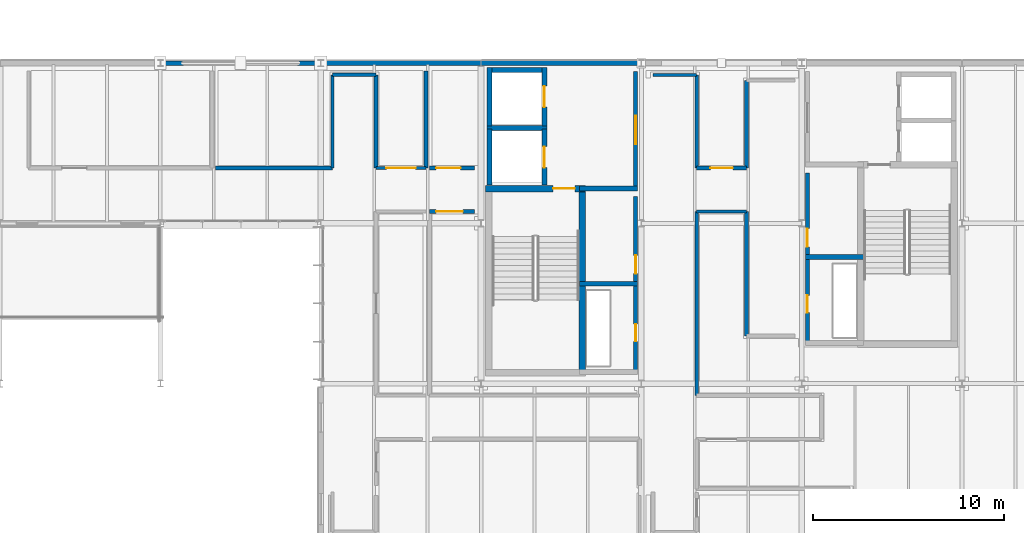
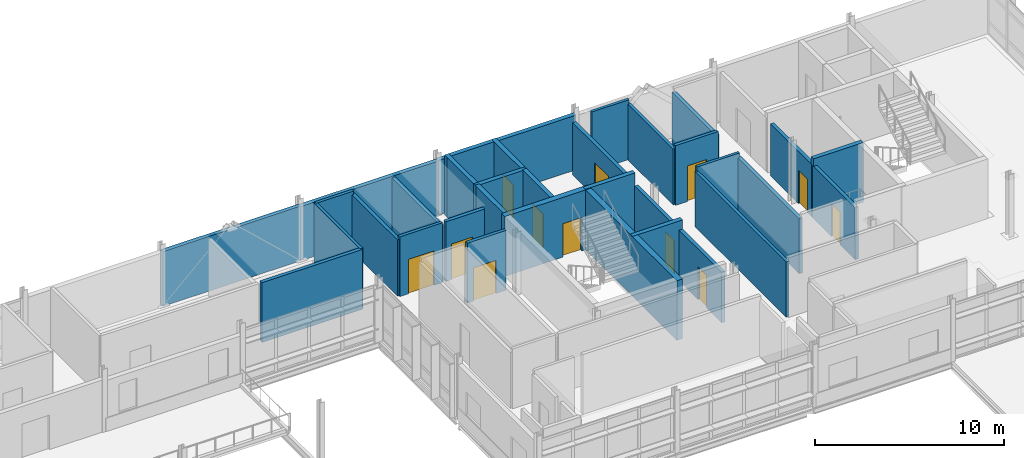
# One storey, part 49 of 57: 34 walls, 12 doors, 12 openings.
"""IFC4 building model written with IfcOpenShell, lengths in metres."""

from ifc_helpers import new_model, si_unit, direction, frame, frame_2d, origin, place, context, subcontext, project, spatial, rectangle, extrude, material, layer, layer_set, type_object, element, fill, save


model = new_model("IFC4")

# Units and contexts
model_context = context("Model", 3, precision=1e-05, world=origin(), true_north=direction((0.0, 1.0)))
body_context = subcontext(model_context, "Body", "Model", "MODEL_VIEW")
ifc_project = project(units=[si_unit("LENGTHUNIT", "METRE"), si_unit("AREAUNIT", "SQUARE_METRE"), si_unit("VOLUMEUNIT", "CUBIC_METRE"), si_unit("PLANEANGLEUNIT", "RADIAN"), si_unit("MASSUNIT", "GRAM", prefix="KILO")], contexts=[model_context])

# Site, building, storey
site_placement = place(None, origin())
site = spatial("IfcSite", under=ifc_project, at=site_placement, CompositionType="ELEMENT")
building_placement = place(site_placement, origin())
building = spatial("IfcBuilding", under=site, at=building_placement, Name="Mersafa Astral City Hall", CompositionType="ELEMENT")
storey_placement = place(building_placement, frame((0.0, 0.0, 26.10009765625)))
storey = spatial("IfcBuildingStorey", under=building, at=storey_placement, Name="L06", CompositionType="ELEMENT", Elevation=26.10009765625)

# Walls
ifc_material_1 = material(Name="Precast concrete C40/50 insulated terracotta spandrel", Category="masonry")
ifc_layer_1 = layer(ifc_material_1, 0.235107421875, Name="Precast concrete C40/50 insulated terracotta spandrel")
ifc_layer_set_1 = layer_set([ifc_layer_1], Name="Precast concrete C40/50 insulated terracotta spandrel — ENV-WAL-EXT-235")
wall_type_1 = type_object("IfcWallType", Name="ENV-WAL-EXT-235", PredefinedType="STANDARD", material=ifc_layer_set_1)
wall_1_placement = place(storey_placement, frame((142.7919921875, 126.0, 0.0), z_axis=(0.0, 0.0, 1.0), x_axis=(-1.0, 0.0, 0.0)))
element("IfcWall", 1, at=wall_1_placement, inside=storey, type_object=wall_type_1, Name="L06 Limestone-clad exterior wall 371", PredefinedType="STANDARD", context=body_context, shape_type="SweptSolid", body=[
    extrude(rectangle(XDim=8.384033203125, YDim=0.235107421875, at=frame_2d((4.19189453125, 0.0))), origin(), (0.0, 0.0, 1.0), 3.52685546875),
])
ifc_layer_2 = layer(ifc_material_1, 0.25, Name="Precast concrete C40/50 insulated terracotta spandrel")
ifc_layer_set_2 = layer_set([ifc_layer_2], Name="Precast concrete C40/50 insulated terracotta spandrel — ENV-WAL-EXT-250")
wall_type_2 = type_object("IfcWallType", Name="ENV-WAL-EXT-250", PredefinedType="STANDARD", material=ifc_layer_set_2)
wall_2_placement = place(storey_placement, frame((151.19189453125, 126.0, 0.0), z_axis=(0.0, 0.0, 1.0), x_axis=(-1.0, 0.0, 0.0)))
element("IfcWall", 2, at=wall_2_placement, inside=storey, type_object=wall_type_2, Name="L06 Limestone-clad exterior wall 370", PredefinedType="STANDARD", context=body_context, shape_type="SweptSolid", body=[
    extrude(rectangle(XDim=8.3837890625, YDim=0.25, at=frame_2d((4.19189453125, 0.0))), origin(), (0.0, 0.0, 1.0), 3.496826171875),
])
ifc_material_2 = material(Name="Precast concrete C40/50 insulated limestone wall", Category="masonry")
ifc_layer_3 = layer(ifc_material_2, 0.264892578125, Name="Precast concrete C40/50 insulated limestone wall")
ifc_layer_set_3 = layer_set([ifc_layer_3], Name="Precast concrete C40/50 insulated limestone wall — ENV-WAL-EXT-265")
wall_type_3 = type_object("IfcWallType", Name="ENV-WAL-EXT-265", PredefinedType="STANDARD", material=ifc_layer_set_3)
wall_3_placement = place(storey_placement, frame((159.592041015625, 126.0, 0.0), z_axis=(0.0, 0.0, 1.0), x_axis=(-1.0, 0.0, 0.0)))
element("IfcWall", 3, at=wall_3_placement, inside=storey, type_object=wall_type_3, Name="L06 Limestone-clad exterior wall 369", PredefinedType="STANDARD", context=body_context, shape_type="SweptSolid", body=[
    extrude(rectangle(XDim=8.384033203125, YDim=0.264892578125, at=frame_2d((4.19189453125, 0.0))), origin(), (0.0, 0.0, 1.0), 3.52685546875),
])
ifc_material_3 = material(Name="Concrete C40/50", Category="concrete")
ifc_layer_4 = layer(ifc_material_3, 0.260009765625, Name="Concrete C40/50")
ifc_layer_set_4 = layer_set([ifc_layer_4], Name="Concrete C40/50 — INT-WAL-CORE-260")
wall_type_4 = type_object("IfcWallType", Name="INT-WAL-CORE-260", PredefinedType="SHEAR", material=ifc_layer_set_4)
wall_4_placement = place(storey_placement, frame((151.514892578125, 122.5849609375, 0.0), z_axis=(0.0, 0.0, 1.0), x_axis=(1.0, 0.0, 0.0)))
element("IfcWall", 4, at=wall_4_placement, inside=storey, type_object=wall_type_4, Name="L06 Lift LF1 north shaft wall", PredefinedType="SHEAR", context=body_context, shape_type="SweptSolid", body=[
    extrude(rectangle(XDim=3.130126953125, YDim=0.260009765625, at=frame_2d((1.56494140625, 0.0))), origin(), (0.0, 0.0, 1.0), 3.849853515625),
])
wall_5_placement = place(storey_placement, frame((151.64501953125, 119.596923828125, 0.0), z_axis=(0.0, 0.0, 1.0), x_axis=(0.0, 1.0, 0.0)))
element("IfcWall", 5, at=wall_5_placement, inside=storey, type_object=wall_type_4, Name="L06 Lift LF1 back shaft wall", PredefinedType="SHEAR", context=body_context, shape_type="SweptSolid", body=[
    extrude(rectangle(XDim=2.947998046875, YDim=0.260009765625, at=frame_2d((1.47412109375, 0.0))), origin(), (0.0, 0.0, 1.0), 3.849853515625),
])

# Wall, opening, door
wall_6_placement = place(storey_placement, frame((154.514892578125, 119.596923828125, 0.0), z_axis=(0.0, 0.0, 1.0), x_axis=(0.0, 1.0, 0.0)))
wall_6 = element("IfcWall", 6, at=wall_6_placement, inside=storey, type_object=wall_type_4, Name="L06 Lift LF1 front shaft wall", PredefinedType="SHEAR", context=body_context, shape_type="SweptSolid", body=[
    extrude(rectangle(XDim=2.947998046875, YDim=0.260009765625, at=frame_2d((1.47412109375, 0.0))), origin(), (0.0, 0.0, 1.0), 3.849853515625),
])
opening_1_placement = place(wall_6_placement, frame((0.924072265625, 0.0, 0.0)))
opening_1 = element("IfcOpeningElement", 7, at=opening_1_placement, cuts=wall_6, Name="Opening LD-1", PredefinedType="OPENING", context=body_context, shape_type="SweptSolid", body=[
    extrude(rectangle(XDim=1.10009765625, YDim=2.14990234375, at=frame_2d((0.550048828125, 1.074951171875))), frame((0.0, 0.139892578125, 0.0), z_axis=(0.0, -1.0, 0.0), x_axis=(1.0, 0.0, 0.0)), (0.0, 0.0, 1.0), 0.280029296875),
])
ifc_material_4 = material(Name="Stainless steel sliding lift landing door", Category="steel")
door_type_1 = type_object("IfcDoorType", Name="INT-DR-LIFT-LD1", OperationType="NOTDEFINED", PredefinedType="DOOR", material=ifc_material_4)
door_1_placement = place(opening_1_placement, origin())
door_1 = element("IfcDoor", 8, at=door_1_placement, inside=storey, type_object=door_type_1, Name="Elevator LF1 Sliding Landing Door L06", OperationType="DOUBLE_DOOR_SLIDING", OverallHeight=2.14990234375, OverallWidth=1.10009765625, PredefinedType="DOOR", context=body_context, shape_type="SweptSolid", body=[
    extrude(rectangle(XDim=1.10009765625, YDim=2.14990234375, at=frame_2d((0.550048828125, 1.074951171875))), frame((0.0, 0.02490234375, 0.0), z_axis=(0.0, -1.0, 0.0), x_axis=(1.0, 0.0, 0.0)), (0.0, 0.0, 1.0), 0.050048828125),
])
fill(opening_1, door_1)

# Walls
wall_7_placement = place(storey_placement, frame((151.514892578125, 125.635009765625, 0.0), z_axis=(0.0, 0.0, 1.0), x_axis=(1.0, 0.0, 0.0)))
element("IfcWall", 9, at=wall_7_placement, inside=storey, type_object=wall_type_4, Name="L06 Lift LF3 north shaft wall", PredefinedType="SHEAR", context=body_context, shape_type="SweptSolid", body=[
    extrude(rectangle(XDim=3.130126953125, YDim=0.260009765625, at=frame_2d((1.56494140625, 0.0))), origin(), (0.0, 0.0, 1.0), 3.849853515625),
])
wall_8_placement = place(storey_placement, frame((151.64501953125, 122.705078125, 0.0), z_axis=(0.0, 0.0, 1.0), x_axis=(0.0, 1.0, 0.0)))
element("IfcWall", 10, at=wall_8_placement, inside=storey, type_object=wall_type_4, Name="L06 Lift LF3 back shaft wall", PredefinedType="SHEAR", context=body_context, shape_type="SweptSolid", body=[
    extrude(rectangle(XDim=3.059814453125, YDim=0.260009765625, at=frame_2d((1.52978515625, 0.0))), origin(), (0.0, 0.0, 1.0), 3.849853515625),
])

# Wall, opening, door
wall_9_placement = place(storey_placement, frame((154.514892578125, 122.705078125, 0.0), z_axis=(0.0, 0.0, 1.0), x_axis=(0.0, 1.0, 0.0)))
wall_9 = element("IfcWall", 11, at=wall_9_placement, inside=storey, type_object=wall_type_4, Name="L06 Lift LF3 front shaft wall", PredefinedType="SHEAR", context=body_context, shape_type="SweptSolid", body=[
    extrude(rectangle(XDim=3.059814453125, YDim=0.260009765625, at=frame_2d((1.52978515625, 0.0))), origin(), (0.0, 0.0, 1.0), 3.849853515625),
])
opening_2_placement = place(wall_9_placement, frame((0.97998046875, 0.0, 0.0)))
opening_2 = element("IfcOpeningElement", 12, at=opening_2_placement, cuts=wall_9, Name="Opening LD-1", PredefinedType="OPENING", context=body_context, shape_type="SweptSolid", body=[
    extrude(rectangle(XDim=1.10009765625, YDim=2.14990234375, at=frame_2d((0.550048828125, 1.074951171875))), frame((0.0, 0.139892578125, 0.0), z_axis=(0.0, -1.0, 0.0), x_axis=(1.0, 0.0, 0.0)), (0.0, 0.0, 1.0), 0.280029296875),
])
door_2_placement = place(opening_2_placement, origin())
door_2 = element("IfcDoor", 13, at=door_2_placement, inside=storey, type_object=door_type_1, Name="Elevator LF3 Sliding Landing Door L06", OperationType="DOUBLE_DOOR_SLIDING", OverallHeight=2.14990234375, OverallWidth=1.10009765625, PredefinedType="DOOR", context=body_context, shape_type="SweptSolid", body=[
    extrude(rectangle(XDim=1.10009765625, YDim=2.14990234375, at=frame_2d((0.550048828125, 1.074951171875))), frame((0.0, 0.02490234375, 0.0), z_axis=(0.0, -1.0, 0.0), x_axis=(1.0, 0.0, 0.0)), (0.0, 0.0, 1.0), 0.050048828125),
])
fill(opening_2, door_2)

# Walls
for number, where, z_axis, x_axis, name in (
    (14, (156.364990234375, 114.43505859375, 0.0), (0.0, 0.0, 1.0), (1.0, 0.0, 0.0), "L06 Core K1 riser-restroom divider wall"),
    (15, (156.364990234375, 119.43505859375, 0.0), (0.0, 0.0, 1.0), (1.0, 0.0, 0.0), "L06 Core K1 restroom-lobby divider wall"),
):
    element("IfcWall", number, at=place(storey_placement, frame(where, z_axis=z_axis, x_axis=x_axis)), inside=storey, type_object=wall_type_4, Name=name, PredefinedType="SHEAR", context=body_context, shape_type="SweptSolid", body=[
        extrude(rectangle(XDim=3.034912109375, YDim=0.260009765625, at=frame_2d((1.517578125, 0.0))), origin(), (0.0, 0.0, 1.0), 3.849853515625),
    ])
wall_10_placement = place(storey_placement, frame((168.199951171875, 115.8349609375, 0.0), z_axis=(0.0, 0.0, 1.0), x_axis=(1.0, 0.0, 0.0)))
element("IfcWall", 16, at=wall_10_placement, inside=storey, type_object=wall_type_4, Name="L06 Core K2 riser-restroom divider wall", PredefinedType="SHEAR", context=body_context, shape_type="SweptSolid", body=[
    extrude(rectangle(XDim=3.03515625, YDim=0.260009765625, at=frame_2d((1.517578125, 0.0))), origin(), (0.0, 0.0, 1.0), 3.849853515625),
])
ifc_layer_5 = layer(ifc_material_3, 0.340087890625, Name="Concrete C40/50")
ifc_layer_set_5 = layer_set([ifc_layer_5], Name="Concrete C40/50 — INT-WAL-CORE-340")
wall_type_5 = type_object("IfcWallType", Name="INT-WAL-CORE-340", PredefinedType="SHEAR", material=ifc_layer_set_5)
wall_11_placement = place(storey_placement, frame((156.514892578125, 109.60498046875, 0.0), z_axis=(0.0, 0.0, 1.0), x_axis=(0.0, 1.0, 0.0)))
element("IfcWall", 17, at=wall_11_placement, inside=storey, type_object=wall_type_5, Name="L06 Core K1 stair east shear wall", PredefinedType="SHEAR", context=body_context, shape_type="SweptSolid", body=[
    extrude(rectangle(XDim=9.989990234375, YDim=0.340087890625, at=frame_2d((4.9951171875, 0.0))), origin(), (0.0, 0.0, 1.0), 3.849853515625),
])

# Wall, opening, door
wall_12_placement = place(storey_placement, frame((151.43505859375, 119.425048828125, 0.0), z_axis=(0.0, 0.0, 1.0), x_axis=(1.0, 0.0, 0.0)))
wall_12 = element("IfcWall", 18, at=wall_12_placement, inside=storey, type_object=wall_type_5, Name="L06 Core K1 stair-lobby fire wall", PredefinedType="SHEAR", context=body_context, shape_type="SweptSolid", body=[
    extrude(rectangle(XDim=5.25, YDim=0.340087890625, at=frame_2d((2.625, 0.0))), origin(), (0.0, 0.0, 1.0), 3.849853515625),
])
opening_3_placement = place(wall_12_placement, frame((3.534912109375, 0.0, 0.0)))
opening_3 = element("IfcOpeningElement", 19, at=opening_3_placement, cuts=wall_12, Name="Opening CD-1", PredefinedType="OPENING", context=body_context, shape_type="SweptSolid", body=[
    extrude(rectangle(XDim=1.14990234375, YDim=2.14990234375, at=frame_2d((0.574951171875, 1.074951171875))), frame((0.0, 0.179931640625, 0.0), z_axis=(0.0, -1.0, 0.0), x_axis=(1.0, 0.0, 0.0)), (0.0, 0.0, 1.0), 0.360107421875),
])
ifc_material_5 = material(Name="Fire-rated steel stair door", Category="steel")
door_type_2 = type_object("IfcDoorType", Name="INT-DR-STAIR-FD90-1150", OperationType="NOTDEFINED", PredefinedType="DOOR", material=ifc_material_5)
door_3_placement = place(opening_3_placement, origin())
door_3 = element("IfcDoor", 20, at=door_3_placement, inside=storey, type_object=door_type_2, Name="L06 Protected Stair ST1 Door", OperationType="SINGLE_SWING_LEFT", OverallHeight=2.14990234375, OverallWidth=1.14990234375, PredefinedType="DOOR", context=body_context, shape_type="SweptSolid", body=[
    extrude(rectangle(XDim=1.14990234375, YDim=2.14990234375, at=frame_2d((0.574951171875, 1.074951171875))), frame((0.0, 0.02490234375, 0.0), z_axis=(0.0, -1.0, 0.0), x_axis=(1.0, 0.0, 0.0)), (0.0, 0.0, 1.0), 0.050048828125),
])
fill(opening_3, door_3)

# Walls
ifc_material_6 = material(Name="Fire-rated gypsum stud partition", Category="gypsum")
ifc_layer_6 = layer(ifc_material_6, 0.1650390625, Name="Fire-rated gypsum stud partition")
ifc_layer_set_6 = layer_set([ifc_layer_6], Name="Fire-rated gypsum stud partition — INT-WAL-PART-EI60-165")
wall_type_6 = type_object("IfcWallType", Name="INT-WAL-PART-EI60-165", PredefinedType="STANDARD", material=ifc_layer_set_6)
wall_13_placement = place(storey_placement, frame((162.5, 118.219970703125, -0.004150390625), z_axis=(0.0, 0.0, 1.0), x_axis=(1.0, 0.0, 0.0)))
element("IfcWall", 21, at=wall_13_placement, inside=storey, type_object=wall_type_6, Name="L06 Interior partition wall 811", PredefinedType="STANDARD", context=body_context, shape_type="SweptSolid", body=[
    extrude(rectangle(XDim=2.60009765625, YDim=0.1650390625, at=frame_2d((1.300048828125, 0.0))), origin(), (0.0, 0.0, 1.0), 3.85400390625),
])
wall_14_placement = place(storey_placement, frame((143.419921875, 125.3798828125, -0.004150390625), z_axis=(0.0, 0.0, 1.0), x_axis=(0.0, -1.0, 0.0)))
element("IfcWall", 22, at=wall_14_placement, inside=storey, type_object=wall_type_6, Name="L06 Interior partition wall 835", PredefinedType="STANDARD", context=body_context, shape_type="SweptSolid", body=[
    extrude(rectangle(XDim=4.8798828125, YDim=0.1650390625, at=frame_2d((2.43994140625, 0.0))), origin(), (0.0, 0.0, 1.0), 3.85400390625),
])
wall_15_placement = place(storey_placement, frame((162.5, 125.3798828125, -0.004150390625), z_axis=(0.0, 0.0, 1.0), x_axis=(-1.0, 0.0, 0.0)))
element("IfcWall", 23, at=wall_15_placement, inside=storey, type_object=wall_type_6, Name="L06 Interior partition wall 863", PredefinedType="STANDARD", context=body_context, shape_type="SweptSolid", body=[
    extrude(rectangle(XDim=2.280029296875, YDim=0.1650390625, at=frame_2d((1.14013671875, 0.0))), origin(), (0.0, 0.0, 1.0), 3.85400390625),
])
ifc_material_7 = material(Name="Acoustic twin-stud gypsum partition", Category="gypsum")
ifc_layer_7 = layer(ifc_material_7, 0.179931640625, Name="Acoustic twin-stud gypsum partition")
ifc_layer_set_7 = layer_set([ifc_layer_7], Name="Acoustic twin-stud gypsum partition — INT-WAL-PART-EI60-180")
wall_type_7 = type_object("IfcWallType", Name="INT-WAL-PART-EI60-180", PredefinedType="STANDARD", material=ifc_layer_set_7)
wall_16_placement = place(storey_placement, frame((162.5, 108.580078125, -0.004150390625), z_axis=(0.0, 0.0, 1.0), x_axis=(0.0, 1.0, 0.0)))
element("IfcWall", 24, at=wall_16_placement, inside=storey, type_object=wall_type_7, Name="L06 Interior partition wall 810", PredefinedType="STANDARD", context=body_context, shape_type="SweptSolid", body=[
    extrude(rectangle(XDim=9.639892578125, YDim=0.179931640625, at=frame_2d((4.81982421875, 0.0))), origin(), (0.0, 0.0, 1.0), 3.56103515625),
])
wall_17_placement = place(storey_placement, frame((145.699951171875, 125.3798828125, -0.004150390625), z_axis=(0.0, 0.0, 1.0), x_axis=(-1.0, 0.0, 0.0)))
element("IfcWall", 25, at=wall_17_placement, inside=storey, type_object=wall_type_7, Name="L06 Interior partition wall 834", PredefinedType="STANDARD", context=body_context, shape_type="SweptSolid", body=[
    extrude(rectangle(XDim=2.280029296875, YDim=0.179931640625, at=frame_2d((1.14013671875, 0.0))), origin(), (0.0, 0.0, 1.0), 3.85400390625),
])

# Wall, opening, door
wall_18_placement = place(storey_placement, frame((148.31005859375, 120.5, -0.004150390625), z_axis=(0.0, 0.0, 1.0), x_axis=(-1.0, 0.0, 0.0)))
wall_18 = element("IfcWall", 26, at=wall_18_placement, inside=storey, type_object=wall_type_7, Name="L06 Interior partition wall 838", PredefinedType="STANDARD", context=body_context, shape_type="SweptSolid", body=[
    extrude(rectangle(XDim=2.610107421875, YDim=0.179931640625, at=frame_2d((1.30517578125, 0.0))), origin(), (0.0, 0.0, 1.0), 3.85400390625),
])
opening_4_placement = place(wall_18_placement, frame((0.534912109375, 0.0, 0.0)))
opening_4 = element("IfcOpeningElement", 27, at=opening_4_placement, cuts=wall_18, Name="Opening D-26", PredefinedType="OPENING", context=body_context, shape_type="SweptSolid", body=[
    extrude(rectangle(XDim=1.5400390625, YDim=2.219970703125, at=frame_2d((0.77001953125, 1.10986328125))), frame((0.0, 0.099853515625, 0.0), z_axis=(0.0, -1.0, 0.0), x_axis=(1.0, 0.0, 0.0)), (0.0, 0.0, 1.0), 0.199951171875),
])
ifc_material_8 = material(Name="Cedar veneered acoustic fire-rated timber door", Category="wood")
door_type_3 = type_object("IfcDoorType", Name="INT-DR-RM-D-26", OperationType="NOTDEFINED", PredefinedType="DOOR", material=ifc_material_8)
door_4_placement = place(opening_4_placement, origin())
door_4 = element("IfcDoor", 28, at=door_4_placement, inside=storey, type_object=door_type_3, Name="L06 Executive Briefing Room L06-11 Entrance Door", OperationType="SINGLE_SWING_RIGHT", OverallHeight=2.219970703125, OverallWidth=1.5400390625, PredefinedType="DOOR", context=body_context, shape_type="SweptSolid", body=[
    extrude(rectangle(XDim=1.5400390625, YDim=2.219970703125, at=frame_2d((0.77001953125, 1.10986328125))), frame((0.0, 0.02490234375, 0.0), z_axis=(0.0, -1.0, 0.0), x_axis=(1.0, 0.0, 0.0)), (0.0, 0.0, 1.0), 0.050048828125),
])
fill(opening_4, door_4)

# Walls
wall_19_placement = place(storey_placement, frame((162.5, 120.5, -0.004150390625), z_axis=(0.0, 0.0, 1.0), x_axis=(0.0, 1.0, 0.0)))
element("IfcWall", 29, at=wall_19_placement, inside=storey, type_object=wall_type_7, Name="L06 Interior partition wall 862", PredefinedType="STANDARD", context=body_context, shape_type="SweptSolid", body=[
    extrude(rectangle(XDim=4.8798828125, YDim=0.179931640625, at=frame_2d((2.43994140625, 0.0))), origin(), (0.0, 0.0, 1.0), 3.591064453125),
])
ifc_layer_8 = layer(ifc_material_7, 0.195068359375, Name="Acoustic twin-stud gypsum partition")
ifc_layer_set_8 = layer_set([ifc_layer_8], Name="Acoustic twin-stud gypsum partition — INT-WAL-PART-EI60-195")
wall_type_8 = type_object("IfcWallType", Name="INT-WAL-PART-EI60-195", PredefinedType="STANDARD", material=ifc_layer_set_8)
wall_20_placement = place(storey_placement, frame((145.699951171875, 120.5, -0.004150390625), z_axis=(0.0, 0.0, 1.0), x_axis=(0.0, 1.0, 0.0)))
element("IfcWall", 30, at=wall_20_placement, inside=storey, type_object=wall_type_8, Name="L06 Interior partition wall 833", PredefinedType="STANDARD", context=body_context, shape_type="SweptSolid", body=[
    extrude(rectangle(XDim=4.8798828125, YDim=0.195068359375, at=frame_2d((2.43994140625, 0.0))), origin(), (0.0, 0.0, 1.0), 3.64111328125),
])
wall_21_placement = place(storey_placement, frame((148.31005859375, 125.580078125, -0.004150390625), z_axis=(0.0, 0.0, 1.0), x_axis=(0.0, -1.0, 0.0)))
element("IfcWall", 31, at=wall_21_placement, inside=storey, type_object=wall_type_8, Name="L06 Interior partition wall 837", PredefinedType="STANDARD", context=body_context, shape_type="SweptSolid", body=[
    extrude(rectangle(XDim=5.080078125, YDim=0.195068359375, at=frame_2d((2.5400390625, 0.0))), origin(), (0.0, 0.0, 1.0), 3.64111328125),
])

# Wall, opening, door
wall_22_placement = place(storey_placement, frame((148.489990234375, 118.219970703125, -0.004150390625), z_axis=(0.0, 0.0, 1.0), x_axis=(1.0, 0.0, 0.0)))
wall_22 = element("IfcWall", 32, at=wall_22_placement, inside=storey, type_object=wall_type_8, Name="L06 Interior partition wall 841", PredefinedType="STANDARD", context=body_context, shape_type="SweptSolid", body=[
    extrude(rectangle(XDim=2.3701171875, YDim=0.195068359375, at=frame_2d((1.18505859375, 0.0))), origin(), (0.0, 0.0, 1.0), 3.85400390625),
])
opening_5_placement = place(wall_22_placement, frame((0.360107421875, 0.0, 0.0)))
opening_5 = element("IfcOpeningElement", 33, at=opening_5_placement, cuts=wall_22, Name="Opening D-16", PredefinedType="OPENING", context=body_context, shape_type="SweptSolid", body=[
    extrude(rectangle(XDim=1.39990234375, YDim=2.139892578125, at=frame_2d((0.699951171875, 1.06982421875))), frame((0.0, 0.107421875, 0.0), z_axis=(0.0, -1.0, 0.0), x_axis=(1.0, 0.0, 0.0)), (0.0, 0.0, 1.0), 0.215087890625),
])
door_type_4 = type_object("IfcDoorType", Name="INT-DR-RM-D-16", OperationType="NOTDEFINED", PredefinedType="DOOR", material=ifc_material_8)
door_5_placement = place(opening_5_placement, origin())
door_5 = element("IfcDoor", 34, at=door_5_placement, inside=storey, type_object=door_type_4, Name="L06 Civic Diplomatic Reception Salon L06-12 Entrance Door", OperationType="SINGLE_SWING_LEFT", OverallHeight=2.139892578125, OverallWidth=1.39990234375, PredefinedType="DOOR", context=body_context, shape_type="SweptSolid", body=[
    extrude(rectangle(XDim=1.39990234375, YDim=2.139892578125, at=frame_2d((0.699951171875, 1.06982421875))), frame((0.0, 0.02490234375, 0.0), z_axis=(0.0, -1.0, 0.0), x_axis=(1.0, 0.0, 0.0)), (0.0, 0.0, 1.0), 0.050048828125),
])
fill(opening_5, door_5)

wall_23_placement = place(storey_placement, frame((165.10009765625, 120.5, -0.004150390625), z_axis=(0.0, 0.0, 1.0), x_axis=(-1.0, 0.0, 0.0)))
wall_23 = element("IfcWall", 35, at=wall_23_placement, inside=storey, type_object=wall_type_8, Name="L06 Interior partition wall 861", PredefinedType="STANDARD", context=body_context, shape_type="SweptSolid", body=[
    extrude(rectangle(XDim=2.60009765625, YDim=0.195068359375, at=frame_2d((1.300048828125, 0.0))), origin(), (0.0, 0.0, 1.0), 3.85400390625),
])
opening_6_placement = place(wall_23_placement, frame((0.7099609375, 0.0, 0.0)))
opening_6 = element("IfcOpeningElement", 36, at=opening_6_placement, cuts=wall_23, Name="Opening D-32", PredefinedType="OPENING", context=body_context, shape_type="SweptSolid", body=[
    extrude(rectangle(XDim=1.179931640625, YDim=2.300048828125, at=frame_2d((0.58984375, 1.14990234375))), frame((0.0, 0.107421875, 0.0), z_axis=(0.0, -1.0, 0.0), x_axis=(1.0, 0.0, 0.0)), (0.0, 0.0, 1.0), 0.215087890625),
])
door_type_5 = type_object("IfcDoorType", Name="INT-DR-RM-D-32", OperationType="NOTDEFINED", PredefinedType="DOOR", material=ifc_material_8)
door_6_placement = place(opening_6_placement, origin())
door_6 = element("IfcDoor", 37, at=door_6_placement, inside=storey, type_object=door_type_5, Name="L06 Municipal Cabinet Meeting Room L06-17 Entrance Door", OperationType="SINGLE_SWING_RIGHT", OverallHeight=2.300048828125, OverallWidth=1.179931640625, PredefinedType="DOOR", context=body_context, shape_type="SweptSolid", body=[
    extrude(rectangle(XDim=1.179931640625, YDim=2.300048828125, at=frame_2d((0.58984375, 1.14990234375))), frame((0.0, 0.02490234375, 0.0), z_axis=(0.0, -1.0, 0.0), x_axis=(1.0, 0.0, 0.0)), (0.0, 0.0, 1.0), 0.050048828125),
])
fill(opening_6, door_6)

ifc_material_9 = material(Name="Autoclaved aerated concrete blockwork plastered", Category="masonry")
ifc_layer_9 = layer(ifc_material_9, 0.2099609375, Name="Autoclaved aerated concrete blockwork plastered")
ifc_layer_set_9 = layer_set([ifc_layer_9], Name="Autoclaved aerated concrete blockwork plastered — INT-WAL-PART-EI60-210")
wall_type_9 = type_object("IfcWallType", Name="INT-WAL-PART-EI60-210", PredefinedType="STANDARD", material=ifc_layer_set_9)
wall_24_placement = place(storey_placement, frame((159.300048828125, 109.820068359375, 0.0), z_axis=(0.0, 0.0, 1.0), x_axis=(0.0, 1.0, 0.0)))
wall_24 = element("IfcWall", 38, at=wall_24_placement, inside=storey, type_object=wall_type_9, Name="L06 Core K1 riser corridor partition", PredefinedType="STANDARD", context=body_context, shape_type="SweptSolid", body=[
    extrude(rectangle(XDim=4.58984375, YDim=0.2099609375, at=frame_2d((2.294921875, 0.0))), origin(), (0.0, 0.0, 1.0), 3.2568359375),
])
opening_7_placement = place(wall_24_placement, frame((1.60009765625, 0.0, 0.0)))
opening_7 = element("IfcOpeningElement", 39, at=opening_7_placement, cuts=wall_24, Name="Opening CD-5", PredefinedType="OPENING", context=body_context, shape_type="SweptSolid", body=[
    extrude(rectangle(XDim=0.89990234375, YDim=2.10009765625, at=frame_2d((0.449951171875, 1.050048828125))), frame((0.0, 0.114990234375, 0.0), z_axis=(0.0, -1.0, 0.0), x_axis=(1.0, 0.0, 0.0)), (0.0, 0.0, 1.0), 0.22998046875),
])
ifc_material_10 = material(Name="Fire-rated steel riser access door", Category="steel")
door_type_6 = type_object("IfcDoorType", Name="INT-DR-RISER-FD60-900", OperationType="NOTDEFINED", PredefinedType="DOOR", material=ifc_material_10)
door_7_placement = place(opening_7_placement, origin())
door_7 = element("IfcDoor", 40, at=door_7_placement, inside=storey, type_object=door_type_6, Name="L06 K1 MEP Riser Access Door", OperationType="SINGLE_SWING_RIGHT", OverallHeight=2.10009765625, OverallWidth=0.89990234375, PredefinedType="DOOR", context=body_context, shape_type="SweptSolid", body=[
    extrude(rectangle(XDim=0.89990234375, YDim=2.10009765625, at=frame_2d((0.449951171875, 1.050048828125))), frame((0.0, 0.02490234375, 0.0), z_axis=(0.0, -1.0, 0.0), x_axis=(1.0, 0.0, 0.0)), (0.0, 0.0, 1.0), 0.050048828125),
])
fill(opening_7, door_7)

wall_25_placement = place(storey_placement, frame((159.300048828125, 114.52001953125, 0.0), z_axis=(0.0, 0.0, 1.0), x_axis=(0.0, 1.0, 0.0)))
wall_25 = element("IfcWall", 41, at=wall_25_placement, inside=storey, type_object=wall_type_9, Name="L06 Core K1 accessible WC corridor partition", PredefinedType="STANDARD", context=body_context, shape_type="SweptSolid", body=[
    extrude(rectangle(XDim=4.47998046875, YDim=0.2099609375, at=frame_2d((2.239990234375, 0.0))), origin(), (0.0, 0.0, 1.0), 3.2568359375),
])
opening_8_placement = place(wall_25_placement, frame((0.449951171875, 0.0, 0.0)))
opening_8 = element("IfcOpeningElement", 42, at=opening_8_placement, cuts=wall_25, Name="Opening CD-4", PredefinedType="OPENING", context=body_context, shape_type="SweptSolid", body=[
    extrude(rectangle(XDim=0.949951171875, YDim=2.14990234375, at=frame_2d((0.47509765625, 1.074951171875))), frame((0.0, 0.114990234375, 0.0), z_axis=(0.0, -1.0, 0.0), x_axis=(1.0, 0.0, 0.0)), (0.0, 0.0, 1.0), 0.22998046875),
])
ifc_material_11 = material(Name="Accessible timber acoustic WC door", Category="wood")
door_type_7 = type_object("IfcDoorType", Name="INT-DR-WC-FD30-950", OperationType="NOTDEFINED", PredefinedType="DOOR", material=ifc_material_11)
door_8_placement = place(opening_8_placement, origin())
door_8 = element("IfcDoor", 43, at=door_8_placement, inside=storey, type_object=door_type_7, Name="L06 K1 Accessible Restroom Door", OperationType="SINGLE_SWING_LEFT", OverallHeight=2.14990234375, OverallWidth=0.949951171875, PredefinedType="DOOR", context=body_context, shape_type="SweptSolid", body=[
    extrude(rectangle(XDim=0.949951171875, YDim=2.14990234375, at=frame_2d((0.47509765625, 1.074951171875))), frame((0.0, 0.02490234375, 0.0), z_axis=(0.0, -1.0, 0.0), x_axis=(1.0, 0.0, 0.0)), (0.0, 0.0, 1.0), 0.050048828125),
])
fill(opening_8, door_8)

wall_26_placement = place(storey_placement, frame((159.300048828125, 119.43994140625, 0.0), z_axis=(0.0, 0.0, 1.0), x_axis=(0.0, 1.0, 0.0)))
wall_26 = element("IfcWall", 44, at=wall_26_placement, inside=storey, type_object=wall_type_9, Name="L06 Core K1 lobby corridor partition", PredefinedType="STANDARD", context=body_context, shape_type="SweptSolid", body=[
    extrude(rectangle(XDim=6.1201171875, YDim=0.2099609375, at=frame_2d((3.06005859375, 0.0))), origin(), (0.0, 0.0, 1.0), 3.366943359375),
])
opening_9_placement = place(wall_26_placement, frame((2.31005859375, 0.0, 0.0)))
opening_9 = element("IfcOpeningElement", 45, at=opening_9_placement, cuts=wall_26, Name="Opening CD-3", PredefinedType="OPENING", context=body_context, shape_type="SweptSolid", body=[
    extrude(rectangle(XDim=1.5, YDim=2.199951171875, at=frame_2d((0.75, 1.10009765625))), frame((0.0, 0.114990234375, 0.0), z_axis=(0.0, -1.0, 0.0), x_axis=(1.0, 0.0, 0.0)), (0.0, 0.0, 1.0), 0.22998046875),
])
ifc_material_12 = material(Name="Fire-rated glazed lobby door pair", Category="metal")
door_type_8 = type_object("IfcDoorType", Name="INT-DR-LOBBY-FD90-1500", OperationType="NOTDEFINED", PredefinedType="DOOR", material=ifc_material_12)
door_9_placement = place(opening_9_placement, origin())
door_9 = element("IfcDoor", 46, at=door_9_placement, inside=storey, type_object=door_type_8, Name="L06 K1 Lift Lobby Fire Door", OperationType="DOUBLE_DOOR_SINGLE_SWING", OverallHeight=2.199951171875, OverallWidth=1.5, PredefinedType="DOOR", context=body_context, shape_type="SweptSolid", body=[
    extrude(rectangle(XDim=1.5, YDim=2.199951171875, at=frame_2d((0.75, 1.10009765625))), frame((0.0, 0.02490234375, 0.0), z_axis=(0.0, -1.0, 0.0), x_axis=(1.0, 0.0, 0.0)), (0.0, 0.0, 1.0), 0.050048828125),
])
fill(opening_9, door_9)

wall_27_placement = place(storey_placement, frame((168.300048828125, 111.320068359375, 0.0), z_axis=(0.0, 0.0, 1.0), x_axis=(0.0, 1.0, 0.0)))
wall_27 = element("IfcWall", 47, at=wall_27_placement, inside=storey, type_object=wall_type_9, Name="L06 Core K2 riser corridor partition", PredefinedType="STANDARD", context=body_context, shape_type="SweptSolid", body=[
    extrude(rectangle(XDim=4.489990234375, YDim=0.2099609375, at=frame_2d((2.2451171875, 0.0))), origin(), (0.0, 0.0, 1.0), 3.366943359375),
])
opening_10_placement = place(wall_27_placement, frame((1.60009765625, 0.0, 0.0)))
opening_10 = element("IfcOpeningElement", 48, at=opening_10_placement, cuts=wall_27, Name="Opening CD-5", PredefinedType="OPENING", context=body_context, shape_type="SweptSolid", body=[
    extrude(rectangle(XDim=0.89990234375, YDim=2.10009765625, at=frame_2d((0.449951171875, 1.050048828125))), frame((0.0, 0.114990234375, 0.0), z_axis=(0.0, -1.0, 0.0), x_axis=(1.0, 0.0, 0.0)), (0.0, 0.0, 1.0), 0.22998046875),
])
door_10_placement = place(opening_10_placement, origin())
door_10 = element("IfcDoor", 49, at=door_10_placement, inside=storey, type_object=door_type_6, Name="L06 K2 MEP Riser Access Door", OperationType="SINGLE_SWING_LEFT", OverallHeight=2.10009765625, OverallWidth=0.89990234375, PredefinedType="DOOR", context=body_context, shape_type="SweptSolid", body=[
    extrude(rectangle(XDim=0.89990234375, YDim=2.10009765625, at=frame_2d((0.449951171875, 1.050048828125))), frame((0.0, 0.02490234375, 0.0), z_axis=(0.0, -1.0, 0.0), x_axis=(1.0, 0.0, 0.0)), (0.0, 0.0, 1.0), 0.050048828125),
])
fill(opening_10, door_10)

wall_28_placement = place(storey_placement, frame((168.300048828125, 115.919921875, 0.0), z_axis=(0.0, 0.0, 1.0), x_axis=(0.0, 1.0, 0.0)))
wall_28 = element("IfcWall", 50, at=wall_28_placement, inside=storey, type_object=wall_type_9, Name="L06 Core K2 accessible WC corridor partition", PredefinedType="STANDARD", context=body_context, shape_type="SweptSolid", body=[
    extrude(rectangle(XDim=4.330078125, YDim=0.2099609375, at=frame_2d((2.1650390625, 0.0))), origin(), (0.0, 0.0, 1.0), 3.366943359375),
])
opening_11_placement = place(wall_28_placement, frame((0.449951171875, 0.0, 0.0)))
opening_11 = element("IfcOpeningElement", 51, at=opening_11_placement, cuts=wall_28, Name="Opening CD-4", PredefinedType="OPENING", context=body_context, shape_type="SweptSolid", body=[
    extrude(rectangle(XDim=0.949951171875, YDim=2.14990234375, at=frame_2d((0.47509765625, 1.074951171875))), frame((0.0, 0.114990234375, 0.0), z_axis=(0.0, -1.0, 0.0), x_axis=(1.0, 0.0, 0.0)), (0.0, 0.0, 1.0), 0.22998046875),
])
door_11_placement = place(opening_11_placement, origin())
door_11 = element("IfcDoor", 52, at=door_11_placement, inside=storey, type_object=door_type_7, Name="L06 K2 Accessible Restroom Door", OperationType="SINGLE_SWING_RIGHT", OverallHeight=2.14990234375, OverallWidth=0.949951171875, PredefinedType="DOOR", context=body_context, shape_type="SweptSolid", body=[
    extrude(rectangle(XDim=0.949951171875, YDim=2.14990234375, at=frame_2d((0.47509765625, 1.074951171875))), frame((0.0, 0.02490234375, 0.0), z_axis=(0.0, -1.0, 0.0), x_axis=(1.0, 0.0, 0.0)), (0.0, 0.0, 1.0), 0.050048828125),
])
fill(opening_11, door_11)

# Walls
wall_29_placement = place(storey_placement, frame((165.10009765625, 118.219970703125, -0.004150390625), z_axis=(0.0, 0.0, 1.0), x_axis=(0.0, -1.0, 0.0)))
element("IfcWall", 53, at=wall_29_placement, inside=storey, type_object=wall_type_9, Name="L06 Interior partition wall 812", PredefinedType="STANDARD", context=body_context, shape_type="SweptSolid", body=[
    extrude(rectangle(XDim=6.52001953125, YDim=0.2099609375, at=frame_2d((3.260009765625, 0.0))), origin(), (0.0, 0.0, 1.0), 3.56103515625),
])
wall_30_placement = place(storey_placement, frame((143.419921875, 120.5, -0.004150390625), z_axis=(0.0, 0.0, 1.0), x_axis=(-1.0, 0.0, 0.0)))
element("IfcWall", 54, at=wall_30_placement, inside=storey, type_object=wall_type_9, Name="L06 Interior partition wall 836", PredefinedType="STANDARD", context=body_context, shape_type="SweptSolid", body=[
    extrude(rectangle(XDim=6.1298828125, YDim=0.2099609375, at=frame_2d((3.06494140625, 0.0))), origin(), (0.0, 0.0, 1.0), 3.85400390625),
])
wall_31_placement = place(storey_placement, frame((165.10009765625, 125.080078125, -0.004150390625), z_axis=(0.0, 0.0, 1.0), x_axis=(0.0, -1.0, 0.0)))
element("IfcWall", 55, at=wall_31_placement, inside=storey, type_object=wall_type_9, Name="L06 Interior partition wall 860", PredefinedType="STANDARD", context=body_context, shape_type="SweptSolid", body=[
    extrude(rectangle(XDim=4.580078125, YDim=0.2099609375, at=frame_2d((2.2900390625, 0.0))), origin(), (0.0, 0.0, 1.0), 3.591064453125),
])

# Wall, opening, door
wall_32_placement = place(storey_placement, frame((150.860107421875, 120.5, -0.004150390625), z_axis=(0.0, 0.0, 1.0), x_axis=(-1.0, 0.0, 0.0)))
wall_32 = element("IfcWall", 56, at=wall_32_placement, inside=storey, type_object=wall_type_9, Name="L06 Interior partition wall 864", PredefinedType="STANDARD", context=body_context, shape_type="SweptSolid", body=[
    extrude(rectangle(XDim=2.3701171875, YDim=0.2099609375, at=frame_2d((1.18505859375, 0.0))), origin(), (0.0, 0.0, 1.0), 3.85400390625),
])
opening_12_placement = place(wall_32_placement, frame((0.72998046875, 0.0, 0.0)))
opening_12 = element("IfcOpeningElement", 57, at=opening_12_placement, cuts=wall_32, Name="Opening D-33", PredefinedType="OPENING", context=body_context, shape_type="SweptSolid", body=[
    extrude(rectangle(XDim=1.280029296875, YDim=2.300048828125, at=frame_2d((0.64013671875, 1.14990234375))), frame((0.0, 0.114990234375, 0.0), z_axis=(0.0, -1.0, 0.0), x_axis=(1.0, 0.0, 0.0)), (0.0, 0.0, 1.0), 0.22998046875),
])
door_type_9 = type_object("IfcDoorType", Name="INT-DR-RM-D-33", OperationType="NOTDEFINED", PredefinedType="DOOR", material=ifc_material_8)
door_12_placement = place(opening_12_placement, origin())
door_12 = element("IfcDoor", 58, at=door_12_placement, inside=storey, type_object=door_type_9, Name="L06 Executive Briefing Room L06-18 Entrance Door", OperationType="SINGLE_SWING_LEFT", OverallHeight=2.300048828125, OverallWidth=1.280029296875, PredefinedType="DOOR", context=body_context, shape_type="SweptSolid", body=[
    extrude(rectangle(XDim=1.280029296875, YDim=2.300048828125, at=frame_2d((0.64013671875, 1.14990234375))), frame((0.0, 0.02490234375, 0.0), z_axis=(0.0, -1.0, 0.0), x_axis=(1.0, 0.0, 0.0)), (0.0, 0.0, 1.0), 0.050048828125),
])
fill(opening_12, door_12)

save(model, "model.ifc")
